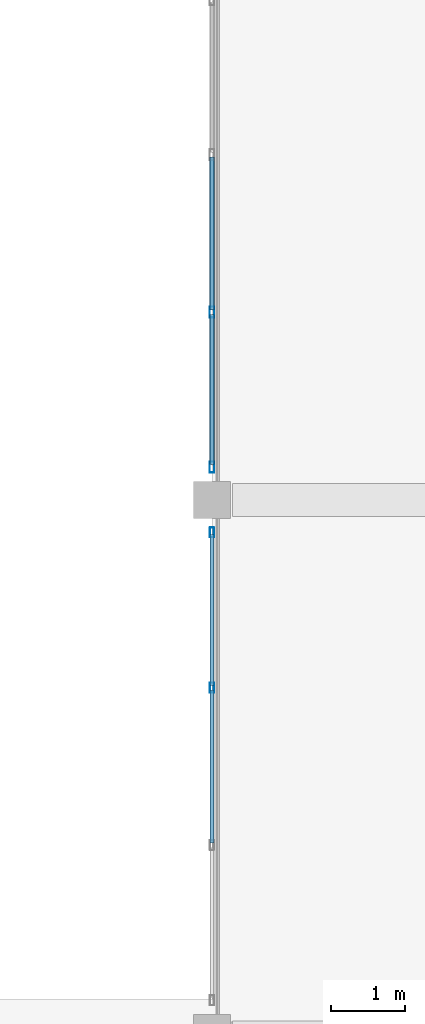
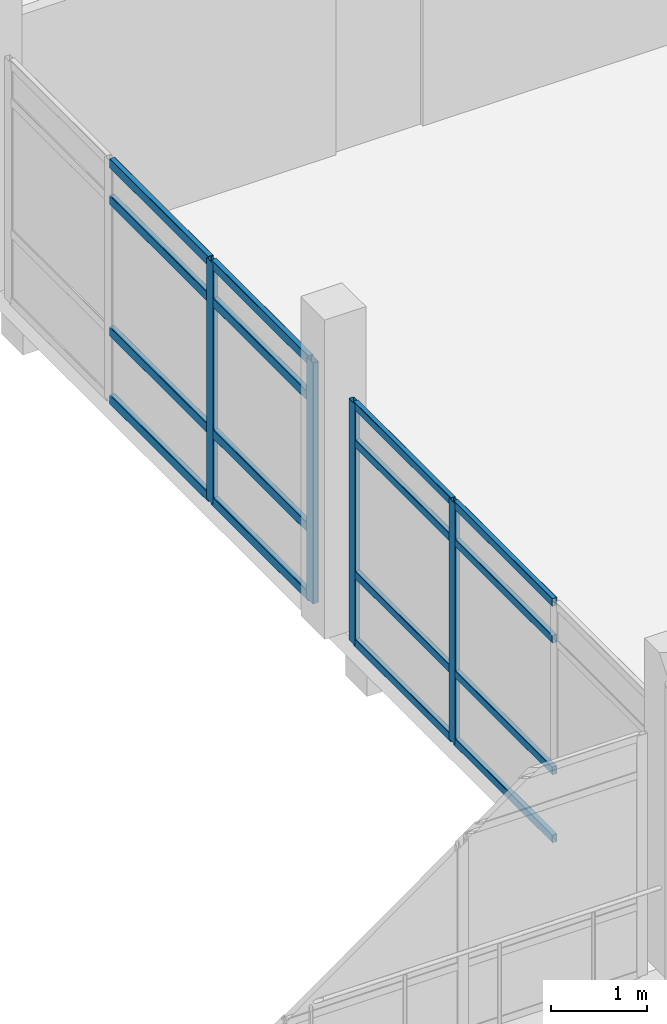
# One storey, part 9 of 24: 20 members, 2 elements without a shape of their own.
"""IFC4 building model written with IfcOpenShell, lengths in metres."""

from ifc_helpers import new_model, si_unit, direction, frame, origin, origin_2d, place, context, subcontext, project, spatial, hollow_rectangle, extrude, material, layer, layer_set, material_profile, profile_set, type_object, element, aggregate, save


model = new_model("IFC4")

# Units and contexts
model_context = context("Model", 3, precision=1e-05, world=origin(), true_north=direction((0.0, 1.0)))
body_context = subcontext(model_context, "Body", "Model", "MODEL_VIEW")
ifc_project = project(units=[si_unit("LENGTHUNIT", "METRE"), si_unit("AREAUNIT", "SQUARE_METRE"), si_unit("VOLUMEUNIT", "CUBIC_METRE"), si_unit("PLANEANGLEUNIT", "RADIAN"), si_unit("MASSUNIT", "GRAM", prefix="KILO")], contexts=[model_context])

# Site, building, storey
site_placement = place(None, origin())
site = spatial("IfcSite", under=ifc_project, at=site_placement, CompositionType="ELEMENT")
building_placement = place(site_placement, origin())
building = spatial("IfcBuilding", under=site, at=building_placement, Name="Asteropetra Specialist Clinic", CompositionType="ELEMENT")
storey_placement = place(building_placement, frame((0.0, 0.0, 20.739990234375)))
storey = spatial("IfcBuildingStorey", under=building, at=storey_placement, Name="L05", CompositionType="ELEMENT", Elevation=20.739990234375)

# Curtain wall, members
ifc_material_1 = material(Name="Aluminium and low-E glass", Category="aluminium")
ifc_layer_1 = layer(ifc_material_1, 0.14990234375)
ifc_layer_set_1 = layer_set([ifc_layer_1], Name="Aluminium and low-E glass")
curtain_wall_type_1 = type_object("IfcCurtainWallType", Name="CW-SYS-05", PredefinedType="USERDEFINED", material=ifc_layer_set_1)
curtain_wall_1_placement = place(storey_placement, origin())
curtain_wall_1 = element("IfcCurtainWall", 1, at=curtain_wall_1_placement, inside=storey, type_object=curtain_wall_type_1, Name="Curtain Wall CW-062", ObjectType="UNITISED CURTAIN WALL", PredefinedType="USERDEFINED")
ifc_material_2 = material(Name="Aluminium 6063-T6", Category="aluminium")
ifc_material_profile_1 = material_profile(ifc_material_2, hollow_rectangle(XDim=0.06005859375, YDim=0.135009765625, WallThickness=0.00341796875, InnerFilletRadius=0.00341796875, OuterFilletRadius=0.007080078125, at=origin_2d()), Name="MUL 135x60x3.5")
ifc_profile_set_1 = profile_set([ifc_material_profile_1], Name="Aluminium 6063-T6")
member_type_1 = type_object("IfcMemberType", Name="CWM-135x60", PredefinedType="MULLION", material=ifc_profile_set_1)
member_1_placement = place(storey_placement, frame((28.800048828125, 81.46337890625, 0.0), z_axis=(0.0, 0.0, 1.0), x_axis=(-1.0, 0.0, 0.0)))
member_1 = element("IfcMember", 2, at=member_1_placement, type_object=member_type_1, Name="CW-062 mullion 3", PredefinedType="MULLION", context=body_context, shape_type="SweptSolid", body=[
    extrude(hollow_rectangle(XDim=0.06005859375, YDim=0.135009765625, WallThickness=0.00341796875, InnerFilletRadius=0.00341796875, OuterFilletRadius=0.007080078125, at=origin_2d()), origin(), (0.0, 0.0, 1.0), 3.080078125),
])
member_2_placement = place(storey_placement, frame((28.800048828125, 83.56005859375, 0.0), z_axis=(0.0, 0.0, 1.0), x_axis=(-1.0, 0.0, 0.0)))
member_2 = element("IfcMember", 3, at=member_2_placement, type_object=member_type_1, Name="CW-062 mullion 4", PredefinedType="MULLION", context=body_context, shape_type="SweptSolid", body=[
    extrude(hollow_rectangle(XDim=0.06005859375, YDim=0.135009765625, WallThickness=0.00341796875, InnerFilletRadius=0.00341796875, OuterFilletRadius=0.007080078125, at=origin_2d()), origin(), (0.0, 0.0, 1.0), 3.080078125),
])

ifc_material_3 = material(Name="Aluminium and low-E glass", Category="aluminium")
ifc_layer_2 = layer(ifc_material_3, 0.135009765625)
ifc_layer_set_2 = layer_set([ifc_layer_2], Name="Aluminium and low-E glass")
curtain_wall_type_2 = type_object("IfcCurtainWallType", Name="CW-SYS-06", PredefinedType="USERDEFINED", material=ifc_layer_set_2)
curtain_wall_2_placement = place(storey_placement, origin())
curtain_wall_2 = element("IfcCurtainWall", 4, at=curtain_wall_2_placement, inside=storey, type_object=curtain_wall_type_2, Name="Curtain Wall CW-064", ObjectType="UNITISED CURTAIN WALL", PredefinedType="USERDEFINED")
ifc_material_4 = material(Name="Aluminium 6063-T6", Category="aluminium")
ifc_material_profile_2 = material_profile(ifc_material_4, hollow_rectangle(XDim=0.06494140625, YDim=0.14990234375, WallThickness=0.00390625, InnerFilletRadius=0.00390625, OuterFilletRadius=0.008056640625, at=origin_2d()), Name="MUL 150x65x4.0")
ifc_profile_set_2 = profile_set([ifc_material_profile_2], Name="Aluminium 6063-T6")
member_type_2 = type_object("IfcMemberType", Name="CWM-150x65", PredefinedType="MULLION", material=ifc_profile_set_2)
member_3_placement = place(storey_placement, frame((28.800048828125, 84.4423828125, 0.0), z_axis=(0.0, 0.0, 1.0), x_axis=(-1.0, 0.0, 0.0)))
member_3 = element("IfcMember", 5, at=member_3_placement, type_object=member_type_2, Name="CW-064 mullion 1", PredefinedType="MULLION", context=body_context, shape_type="SweptSolid", body=[
    extrude(hollow_rectangle(XDim=0.06494140625, YDim=0.14990234375, WallThickness=0.00390625, InnerFilletRadius=0.00390625, OuterFilletRadius=0.008056640625, at=origin_2d()), origin(), (0.0, 0.0, 1.0), 3.080078125),
])
member_4_placement = place(storey_placement, frame((28.800048828125, 86.53662109375, 0.0), z_axis=(0.0, 0.0, 1.0), x_axis=(-1.0, 0.0, 0.0)))
member_4 = element("IfcMember", 6, at=member_4_placement, type_object=member_type_2, Name="CW-064 mullion 2", PredefinedType="MULLION", context=body_context, shape_type="SweptSolid", body=[
    extrude(hollow_rectangle(XDim=0.06494140625, YDim=0.14990234375, WallThickness=0.00390625, InnerFilletRadius=0.00390625, OuterFilletRadius=0.008056640625, at=origin_2d()), origin(), (0.0, 0.0, 1.0), 3.080078125),
])

# Member
ifc_material_5 = material(Name="Aluminium 6063-T6", Category="aluminium")
ifc_material_profile_3 = material_profile(ifc_material_5, hollow_rectangle(XDim=0.06005859375, YDim=0.10009765625, WallThickness=0.00341796875, InnerFilletRadius=0.00341796875, OuterFilletRadius=0.007080078125, at=origin_2d()), Name="TRN 100x60x3.5")
ifc_profile_set_3 = profile_set([ifc_material_profile_3], Name="Aluminium 6063-T6")
member_type_3 = type_object("IfcMemberType", Name="CWT-100x60", PredefinedType="USERDEFINED", material=ifc_profile_set_3)
member_5_placement = place(storey_placement, frame((28.800048828125, 79.36669921875, 0.030029296875), z_axis=(0.0, 1.0, 0.0), x_axis=(-1.0, 0.0, 0.0)))
member_5 = element("IfcMember", 7, at=member_5_placement, type_object=member_type_3, Name="CW-062 transom 2.1", ObjectType="TRANSOM", PredefinedType="USERDEFINED", context=body_context, shape_type="SweptSolid", body=[
    extrude(hollow_rectangle(XDim=0.06005859375, YDim=0.10009765625, WallThickness=0.00341796875, InnerFilletRadius=0.00341796875, OuterFilletRadius=0.007080078125, at=origin_2d()), origin(), (0.0, 0.0, 1.0), 2.066650390625),
])

member_6_placement = place(storey_placement, frame((28.800048828125, 79.36669921875, 0.89990234375), z_axis=(0.0, 1.0, 0.0), x_axis=(-1.0, 0.0, 0.0)))
member_6 = element("IfcMember", 8, at=member_6_placement, type_object=member_type_3, Name="CW-062 transom 2.2", ObjectType="TRANSOM", PredefinedType="USERDEFINED", context=body_context, shape_type="SweptSolid", body=[
    extrude(hollow_rectangle(XDim=0.06005859375, YDim=0.10009765625, WallThickness=0.00341796875, InnerFilletRadius=0.00341796875, OuterFilletRadius=0.007080078125, at=origin_2d()), origin(), (0.0, 0.0, 1.0), 2.066650390625),
])

member_7_placement = place(storey_placement, frame((28.800048828125, 79.36669921875, 2.580078125), z_axis=(0.0, 1.0, 0.0), x_axis=(-1.0, 0.0, 0.0)))
member_7 = element("IfcMember", 9, at=member_7_placement, type_object=member_type_3, Name="CW-062 transom 2.3", ObjectType="TRANSOM", PredefinedType="USERDEFINED", context=body_context, shape_type="SweptSolid", body=[
    extrude(hollow_rectangle(XDim=0.06005859375, YDim=0.10009765625, WallThickness=0.00341796875, InnerFilletRadius=0.00341796875, OuterFilletRadius=0.007080078125, at=origin_2d()), origin(), (0.0, 0.0, 1.0), 2.066650390625),
])

member_8_placement = place(storey_placement, frame((28.800048828125, 79.36669921875, 3.050048828125), z_axis=(0.0, 1.0, 0.0), x_axis=(-1.0, 0.0, 0.0)))
member_8 = element("IfcMember", 10, at=member_8_placement, type_object=member_type_3, Name="CW-062 transom 2.4", ObjectType="TRANSOM", PredefinedType="USERDEFINED", context=body_context, shape_type="SweptSolid", body=[
    extrude(hollow_rectangle(XDim=0.06005859375, YDim=0.10009765625, WallThickness=0.00341796875, InnerFilletRadius=0.00341796875, OuterFilletRadius=0.007080078125, at=origin_2d()), origin(), (0.0, 0.0, 1.0), 2.066650390625),
])

member_9_placement = place(storey_placement, frame((28.800048828125, 81.493408203125, 0.030029296875), z_axis=(0.0, 1.0, 0.0), x_axis=(-1.0, 0.0, 0.0)))
member_9 = element("IfcMember", 11, at=member_9_placement, type_object=member_type_3, Name="CW-062 transom 3.1", ObjectType="TRANSOM", PredefinedType="USERDEFINED", context=body_context, shape_type="SweptSolid", body=[
    extrude(hollow_rectangle(XDim=0.06005859375, YDim=0.10009765625, WallThickness=0.00341796875, InnerFilletRadius=0.00341796875, OuterFilletRadius=0.007080078125, at=origin_2d()), origin(), (0.0, 0.0, 1.0), 2.03662109375),
])

member_10_placement = place(storey_placement, frame((28.800048828125, 81.493408203125, 0.89990234375), z_axis=(0.0, 1.0, 0.0), x_axis=(-1.0, 0.0, 0.0)))
member_10 = element("IfcMember", 12, at=member_10_placement, type_object=member_type_3, Name="CW-062 transom 3.2", ObjectType="TRANSOM", PredefinedType="USERDEFINED", context=body_context, shape_type="SweptSolid", body=[
    extrude(hollow_rectangle(XDim=0.06005859375, YDim=0.10009765625, WallThickness=0.00341796875, InnerFilletRadius=0.00341796875, OuterFilletRadius=0.007080078125, at=origin_2d()), origin(), (0.0, 0.0, 1.0), 2.03662109375),
])

member_11_placement = place(storey_placement, frame((28.800048828125, 81.493408203125, 2.580078125), z_axis=(0.0, 1.0, 0.0), x_axis=(-1.0, 0.0, 0.0)))
member_11 = element("IfcMember", 13, at=member_11_placement, type_object=member_type_3, Name="CW-062 transom 3.3", ObjectType="TRANSOM", PredefinedType="USERDEFINED", context=body_context, shape_type="SweptSolid", body=[
    extrude(hollow_rectangle(XDim=0.06005859375, YDim=0.10009765625, WallThickness=0.00341796875, InnerFilletRadius=0.00341796875, OuterFilletRadius=0.007080078125, at=origin_2d()), origin(), (0.0, 0.0, 1.0), 2.03662109375),
])

member_12_placement = place(storey_placement, frame((28.800048828125, 81.493408203125, 3.050048828125), z_axis=(0.0, 1.0, 0.0), x_axis=(-1.0, 0.0, 0.0)))
member_12 = element("IfcMember", 14, at=member_12_placement, type_object=member_type_3, Name="CW-062 transom 3.4", ObjectType="TRANSOM", PredefinedType="USERDEFINED", context=body_context, shape_type="SweptSolid", body=[
    extrude(hollow_rectangle(XDim=0.06005859375, YDim=0.10009765625, WallThickness=0.00341796875, InnerFilletRadius=0.00341796875, OuterFilletRadius=0.007080078125, at=origin_2d()), origin(), (0.0, 0.0, 1.0), 2.03662109375),
])

aggregate(curtain_wall_1, [member_1, member_2, member_5, member_6, member_7, member_8, member_9, member_10, member_11, member_12])

ifc_material_6 = material(Name="Aluminium 6063-T6", Category="aluminium")
ifc_material_profile_4 = material_profile(ifc_material_6, hollow_rectangle(XDim=0.06494140625, YDim=0.1201171875, WallThickness=0.00390625, InnerFilletRadius=0.00390625, OuterFilletRadius=0.008056640625, at=origin_2d()), Name="TRN 120x65x4.0")
ifc_profile_set_4 = profile_set([ifc_material_profile_4], Name="Aluminium 6063-T6")
member_type_4 = type_object("IfcMemberType", Name="CWT-120x65", PredefinedType="USERDEFINED", material=ifc_profile_set_4)
member_13_placement = place(storey_placement, frame((28.800048828125, 84.47509765625, 0.032470703125), z_axis=(0.0, 1.0, 0.0), x_axis=(-1.0, 0.0, 0.0)))
member_13 = element("IfcMember", 15, at=member_13_placement, type_object=member_type_4, Name="CW-064 transom 1.1", ObjectType="TRANSOM", PredefinedType="USERDEFINED", context=body_context, shape_type="SweptSolid", body=[
    extrude(hollow_rectangle(XDim=0.06494140625, YDim=0.1201171875, WallThickness=0.00390625, InnerFilletRadius=0.00390625, OuterFilletRadius=0.008056640625, at=origin_2d()), origin(), (0.0, 0.0, 1.0), 2.029052734375),
])

member_14_placement = place(storey_placement, frame((28.800048828125, 84.47509765625, 0.89990234375), z_axis=(0.0, 1.0, 0.0), x_axis=(-1.0, 0.0, 0.0)))
member_14 = element("IfcMember", 16, at=member_14_placement, type_object=member_type_4, Name="CW-064 transom 1.2", ObjectType="TRANSOM", PredefinedType="USERDEFINED", context=body_context, shape_type="SweptSolid", body=[
    extrude(hollow_rectangle(XDim=0.06494140625, YDim=0.1201171875, WallThickness=0.00390625, InnerFilletRadius=0.00390625, OuterFilletRadius=0.008056640625, at=origin_2d()), origin(), (0.0, 0.0, 1.0), 2.029052734375),
])

member_15_placement = place(storey_placement, frame((28.800048828125, 84.47509765625, 2.580078125), z_axis=(0.0, 1.0, 0.0), x_axis=(-1.0, 0.0, 0.0)))
member_15 = element("IfcMember", 17, at=member_15_placement, type_object=member_type_4, Name="CW-064 transom 1.3", ObjectType="TRANSOM", PredefinedType="USERDEFINED", context=body_context, shape_type="SweptSolid", body=[
    extrude(hollow_rectangle(XDim=0.06494140625, YDim=0.1201171875, WallThickness=0.00390625, InnerFilletRadius=0.00390625, OuterFilletRadius=0.008056640625, at=origin_2d()), origin(), (0.0, 0.0, 1.0), 2.029052734375),
])

member_16_placement = place(storey_placement, frame((28.800048828125, 84.47509765625, 3.047607421875), z_axis=(0.0, 1.0, 0.0), x_axis=(-1.0, 0.0, 0.0)))
member_16 = element("IfcMember", 18, at=member_16_placement, type_object=member_type_4, Name="CW-064 transom 1.4", ObjectType="TRANSOM", PredefinedType="USERDEFINED", context=body_context, shape_type="SweptSolid", body=[
    extrude(hollow_rectangle(XDim=0.06494140625, YDim=0.1201171875, WallThickness=0.00390625, InnerFilletRadius=0.00390625, OuterFilletRadius=0.008056640625, at=origin_2d()), origin(), (0.0, 0.0, 1.0), 2.029052734375),
])

member_17_placement = place(storey_placement, frame((28.800048828125, 86.569091796875, 0.032470703125), z_axis=(0.0, 1.0, 0.0), x_axis=(-1.0, 0.0, 0.0)))
member_17 = element("IfcMember", 19, at=member_17_placement, type_object=member_type_4, Name="CW-064 transom 2.1", ObjectType="TRANSOM", PredefinedType="USERDEFINED", context=body_context, shape_type="SweptSolid", body=[
    extrude(hollow_rectangle(XDim=0.06494140625, YDim=0.1201171875, WallThickness=0.00390625, InnerFilletRadius=0.00390625, OuterFilletRadius=0.008056640625, at=origin_2d()), origin(), (0.0, 0.0, 1.0), 2.061767578125),
])

member_18_placement = place(storey_placement, frame((28.800048828125, 86.569091796875, 0.89990234375), z_axis=(0.0, 1.0, 0.0), x_axis=(-1.0, 0.0, 0.0)))
member_18 = element("IfcMember", 20, at=member_18_placement, type_object=member_type_4, Name="CW-064 transom 2.2", ObjectType="TRANSOM", PredefinedType="USERDEFINED", context=body_context, shape_type="SweptSolid", body=[
    extrude(hollow_rectangle(XDim=0.06494140625, YDim=0.1201171875, WallThickness=0.00390625, InnerFilletRadius=0.00390625, OuterFilletRadius=0.008056640625, at=origin_2d()), origin(), (0.0, 0.0, 1.0), 2.061767578125),
])

member_19_placement = place(storey_placement, frame((28.800048828125, 86.569091796875, 2.580078125), z_axis=(0.0, 1.0, 0.0), x_axis=(-1.0, 0.0, 0.0)))
member_19 = element("IfcMember", 21, at=member_19_placement, type_object=member_type_4, Name="CW-064 transom 2.3", ObjectType="TRANSOM", PredefinedType="USERDEFINED", context=body_context, shape_type="SweptSolid", body=[
    extrude(hollow_rectangle(XDim=0.06494140625, YDim=0.1201171875, WallThickness=0.00390625, InnerFilletRadius=0.00390625, OuterFilletRadius=0.008056640625, at=origin_2d()), origin(), (0.0, 0.0, 1.0), 2.061767578125),
])

member_20_placement = place(storey_placement, frame((28.800048828125, 86.569091796875, 3.047607421875), z_axis=(0.0, 1.0, 0.0), x_axis=(-1.0, 0.0, 0.0)))
member_20 = element("IfcMember", 22, at=member_20_placement, type_object=member_type_4, Name="CW-064 transom 2.4", ObjectType="TRANSOM", PredefinedType="USERDEFINED", context=body_context, shape_type="SweptSolid", body=[
    extrude(hollow_rectangle(XDim=0.06494140625, YDim=0.1201171875, WallThickness=0.00390625, InnerFilletRadius=0.00390625, OuterFilletRadius=0.008056640625, at=origin_2d()), origin(), (0.0, 0.0, 1.0), 2.061767578125),
])

aggregate(curtain_wall_2, [member_3, member_4, member_13, member_14, member_15, member_16, member_17, member_18, member_19, member_20])

save(model, "model.ifc")
